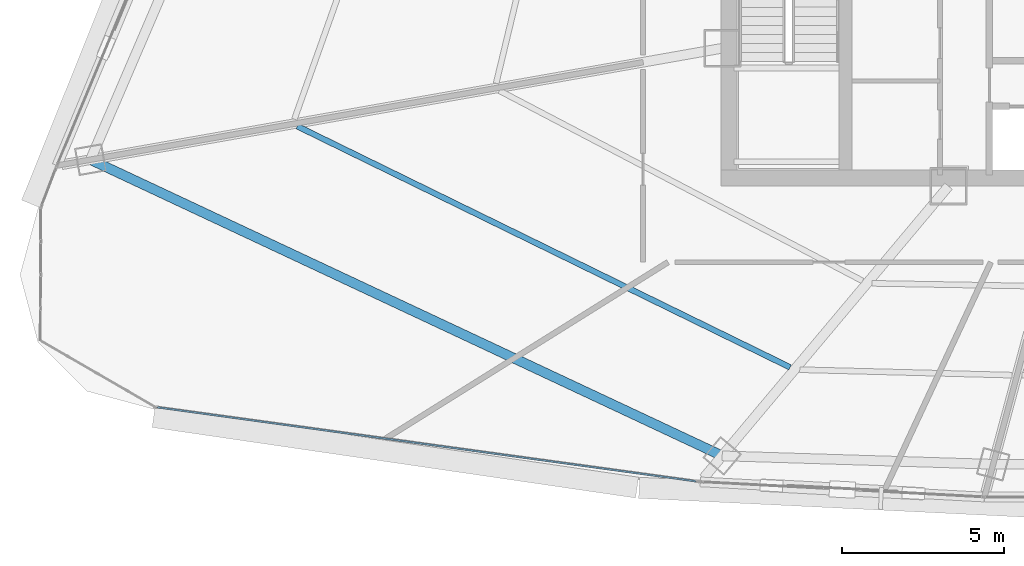
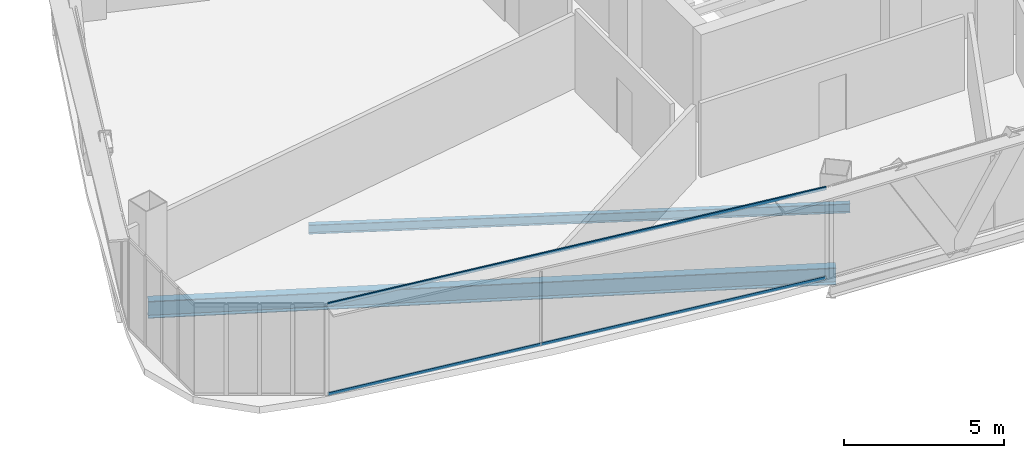
# One storey, part 3 of 36: 2 beams, 2 members, 1 element without a shape of its own.
"""IFC4 building model written with IfcOpenShell, lengths in metres."""

from ifc_helpers import new_model, si_unit, direction, frame, origin, origin_2d, place, context, subcontext, project, spatial, hollow_rectangle, i_section, extrude, source, transform, mapped, material, layer, layer_set, material_profile, profile_set, type_object, element, aggregate, save


model = new_model("IFC4")

# Units and contexts
model_context = context("Model", 3, precision=1e-05, world=origin(), true_north=direction((0.0, 1.0)))
body_context = subcontext(model_context, "Body", "Model", "MODEL_VIEW")
ifc_project = project(units=[si_unit("LENGTHUNIT", "METRE"), si_unit("AREAUNIT", "SQUARE_METRE"), si_unit("VOLUMEUNIT", "CUBIC_METRE"), si_unit("PLANEANGLEUNIT", "RADIAN"), si_unit("MASSUNIT", "GRAM", prefix="KILO"), si_unit("THERMODYNAMICTEMPERATUREUNIT", "KELVIN"), si_unit("POWERUNIT", "WATT")], contexts=[model_context])

# Site, building, storey
site_placement = place(None, origin())
site = spatial("IfcSite", under=ifc_project, at=site_placement, CompositionType="ELEMENT")
building_placement = place(site_placement, origin())
building = spatial("IfcBuilding", under=site, at=building_placement, Name="Yunzhuo Pagoda Commons", CompositionType="ELEMENT")
storey_placement = place(building_placement, frame((0.0, 0.0, 263.179931640625)))
storey = spatial("IfcBuildingStorey", under=building, at=storey_placement, Name="L66", CompositionType="ELEMENT", Elevation=263.179931640625)

# Beams
ifc_material_1 = material(Name="Structural steel Q355B", Category="steel")
ifc_material_profile_1 = material_profile(ifc_material_1, i_section(OverallWidth=0.300048828125, OverallDepth=0.64990234375, WebThickness=0.012939453125, FlangeThickness=0.02197265625, at=origin_2d()), Name="Structural steel Q355B")
ifc_profile_set_1 = profile_set([ifc_material_profile_1], Name="Structural steel Q355B")
beam_type_1 = type_object("IfcBeamType", Name="B-RG2 Beam HN 650x300x13x22", PredefinedType="BEAM", material=ifc_profile_set_1)
shared_shape_1 = source(origin(), body_context, "Body", "SweptSolid", [
    extrude(i_section(OverallWidth=0.300048828125, OverallDepth=0.64990234375, WebThickness=0.012939453125, FlangeThickness=0.02197265625, at=origin_2d()), origin(), (0.0, 0.0, 1.0), 21.56689453125),
])
beam_1_placement = place(storey_placement, frame((16.06591796875, 28.069091796875, -0.5849609375), z_axis=(0.905424265365, -0.424507832304, 0.0), x_axis=(0.424507832304, 0.905424265365, 0.0)))
element("IfcBeam", 1, at=beam_1_placement, inside=storey, type_object=beam_type_1, Name="L66 column-ring beam 12", PredefinedType="BEAM", context=body_context, shape_type="MappedRepresentation", body=[
    mapped(shared_shape_1, transform((0.0, 0.0, 0.0), scale=1.0)),
])
ifc_material_profile_2 = material_profile(ifc_material_1, i_section(OverallWidth=0.175048828125, OverallDepth=0.35009765625, WebThickness=0.007080078125, FlangeThickness=0.010986328125, at=origin_2d()), Name="Structural steel Q355B")
ifc_profile_set_2 = profile_set([ifc_material_profile_2], Name="Structural steel Q355B")
beam_type_2 = type_object("IfcBeamType", Name="B-JS2 Joist HN 350x175x7x11", PredefinedType="JOIST", material=ifc_profile_set_2)
shared_shape_2 = source(origin(), body_context, "Body", "SweptSolid", [
    extrude(i_section(OverallWidth=0.175048828125, OverallDepth=0.35009765625, WebThickness=0.007080078125, FlangeThickness=0.010986328125, at=origin_2d()), origin(), (0.0, 0.0, 1.0), 16.95361328125),
])
beam_2_placement = place(storey_placement, frame((22.459716796875, 29.101806640625, -0.434814453125), z_axis=(0.898261717675, -0.439460904473, 0.0), x_axis=(0.439460904473, 0.898261717675, 0.0)))
element("IfcBeam", 2, at=beam_2_placement, inside=storey, type_object=beam_type_2, Name="L66 composite ring joist 2.12", PredefinedType="JOIST", context=body_context, shape_type="MappedRepresentation", body=[
    mapped(shared_shape_2, transform((0.0, 0.0, 0.0), scale=1.0)),
])

# Curtain wall, members
ifc_material_2 = material(Name="Anodized aluminium 6063-T6", Category="aluminium")
ifc_layer = layer(ifc_material_2, 0.139892578125)
ifc_layer_set = layer_set([ifc_layer], Name="Anodized aluminium 6063-T6")
curtain_wall_type = type_object("IfcCurtainWallType", Name="CW-HI High-Zone Ribbon Curtain Wall", PredefinedType="NOTDEFINED", material=ifc_layer_set)
curtain_wall_placement = place(storey_placement, origin())
curtain_wall = element("IfcCurtainWall", 3, at=curtain_wall_placement, inside=storey, type_object=curtain_wall_type, Name="L66 curtain wall CW-L66-F1B1", PredefinedType="NOTDEFINED")
ifc_material_profile_3 = material_profile(ifc_material_2, hollow_rectangle(XDim=0.054931640625, YDim=0.1201171875, WallThickness=0.00341796875, at=origin_2d()), Name="Anodized aluminium 6063-T6")
ifc_profile_set_3 = profile_set([ifc_material_profile_3], Name="Anodized aluminium 6063-T6")
member_type = type_object("IfcMemberType", Name="CW-HI-T Transom RHS 120x55x3.5", PredefinedType="USERDEFINED", material=ifc_profile_set_3)
shared_shape_3 = source(origin(), body_context, "Body", "SweptSolid", [
    extrude(hollow_rectangle(XDim=0.054931640625, YDim=0.1201171875, WallThickness=0.00341796875, at=origin_2d()), origin(), (0.0, 0.0, 1.0), 16.80810546875),
])
member_1_placement = place(storey_placement, frame((18.13232421875, 20.415283203125, 0.02783203125), z_axis=(0.990697109219, -0.136085406215, 0.0), x_axis=(0.136085406215, 0.990697109219, 0.0)))
member_1 = element("IfcMember", 4, at=member_1_placement, type_object=member_type, Name="CW transom 1.1", ObjectType="TRANSOM", PredefinedType="USERDEFINED", context=body_context, shape_type="MappedRepresentation", body=[
    mapped(shared_shape_3, transform((0.0, 0.0, 0.0), scale=1.0)),
])
member_2_placement = place(storey_placement, frame((18.13232421875, 20.415283203125, 3.442626953125), z_axis=(0.990697109219, -0.136085406215, 0.0), x_axis=(0.136085406215, 0.990697109219, 0.0)))
member_2 = element("IfcMember", 5, at=member_2_placement, type_object=member_type, Name="CW transom 1.2", ObjectType="TRANSOM", PredefinedType="USERDEFINED", context=body_context, shape_type="MappedRepresentation", body=[
    mapped(shared_shape_3, transform((0.0, 0.0, 0.0), scale=1.0)),
])
aggregate(curtain_wall, [member_1, member_2])

save(model, "model.ifc")
